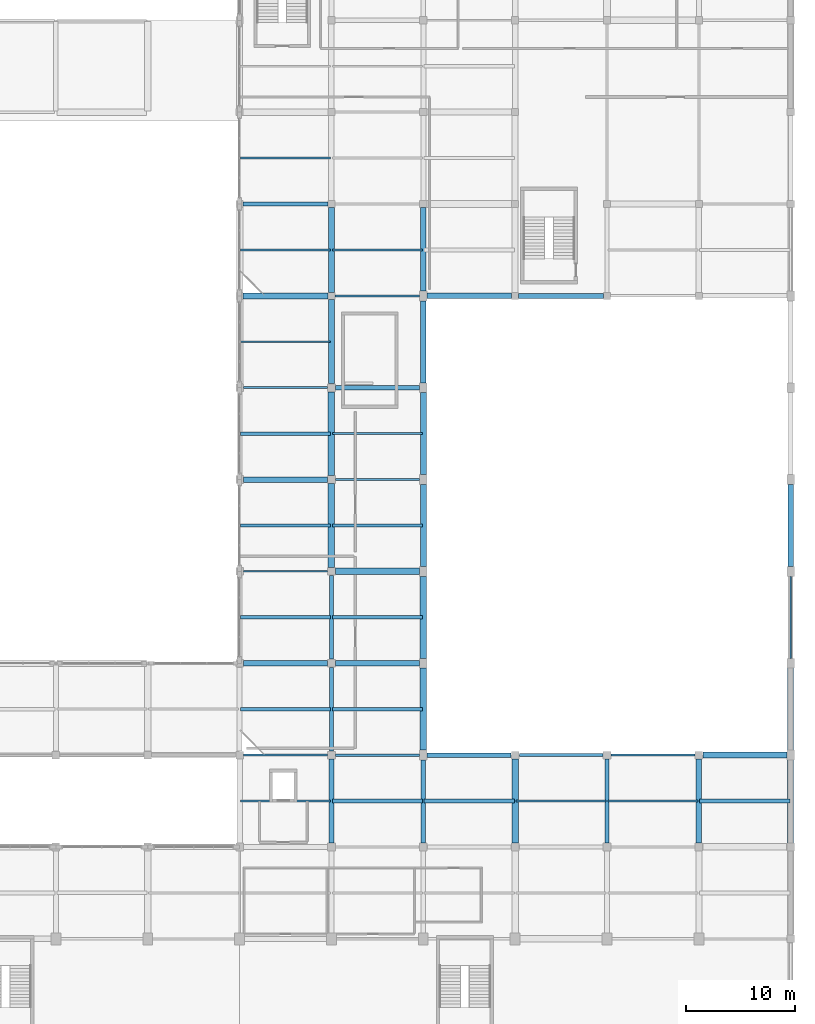
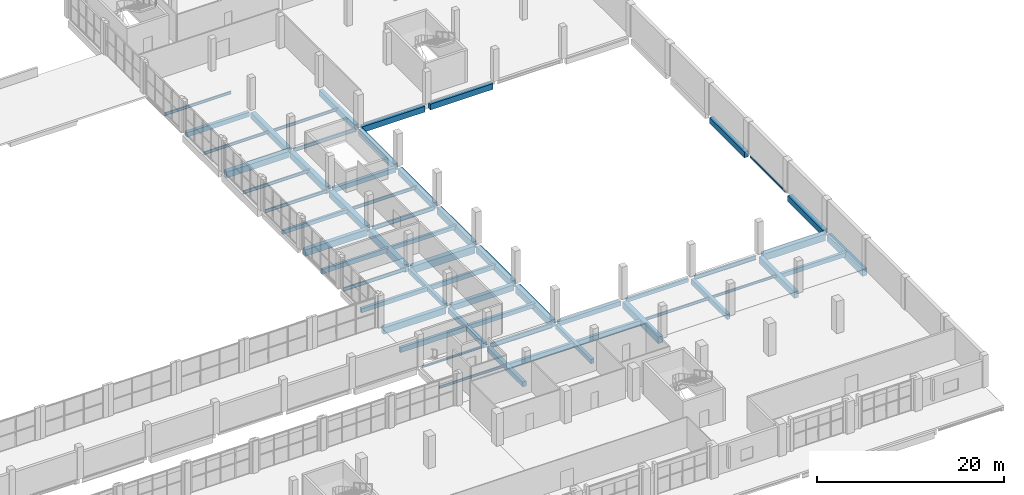
# One storey, part 38 of 59: 58 beams.
"""IFC4 building model written with IfcOpenShell, lengths in metres."""

from ifc_helpers import new_model, si_unit, derived_unit, direction, frame, origin, origin_2d, place, context, subcontext, project, spatial, rectangle, hollow_rectangle, i_section, extrude, material, material_profile, profile_set, type_object, element, save


model = new_model("IFC4")

# Units and contexts
model_context = context("Model", 3, precision=1e-05, world=origin(), true_north=direction((0.0, 1.0)))
body_context = subcontext(model_context, "Body", "Model", "MODEL_VIEW")
ifc_project = project(units=[si_unit("LENGTHUNIT", "METRE"), si_unit("AREAUNIT", "SQUARE_METRE"), si_unit("VOLUMEUNIT", "CUBIC_METRE"), si_unit("PLANEANGLEUNIT", "RADIAN"), si_unit("MASSUNIT", "GRAM", prefix="KILO"), derived_unit("THERMALTRANSMITTANCEUNIT", [(si_unit("POWERUNIT", "WATT"), 1), (si_unit("LENGTHUNIT", "METRE"), -2), (si_unit("THERMODYNAMICTEMPERATUREUNIT", "KELVIN"), -1)])], contexts=[model_context])

# Site, building, storey
site_placement = place(None, origin())
site = spatial("IfcSite", under=ifc_project, at=site_placement, CompositionType="ELEMENT")
building_placement = place(site_placement, origin())
building = spatial("IfcBuilding", under=site, at=building_placement, Name="Barrovel Congress Hotel", CompositionType="ELEMENT")
storey_placement = place(building_placement, frame((0.0, 0.0, 9.89990234375)))
storey = spatial("IfcBuildingStorey", under=building, at=storey_placement, Name="L02", CompositionType="ELEMENT", Elevation=9.89990234375)

# Beams
ifc_material_1 = material(Name="Concrete C40", Category="concrete")
ifc_material_profile_1 = material_profile(ifc_material_1, rectangle(XDim=0.25, YDim=0.5, at=origin_2d()), Name="RC250x500")
ifc_profile_set_1 = profile_set([ifc_material_profile_1], Name="Concrete C40")
beam_type_1 = type_object("IfcBeamType", Name="BM-RC250x500", PredefinedType="SPANDREL", material=ifc_profile_set_1)
beam_1_placement = place(storey_placement, frame((151.574951171875, 37.800048828125, -0.510009765625), z_axis=(1.0, 0.0, 0.0), x_axis=(0.0, 1.0, 0.0)))
element("IfcBeam", 1, at=beam_1_placement, inside=storey, type_object=beam_type_1, Name="BMX:L02:37.8:151.2-159.6", PredefinedType="SPANDREL", context=body_context, shape_type="SweptSolid", body=[
    extrude(rectangle(XDim=0.25, YDim=0.5, at=origin_2d()), origin(), (0.0, 0.0, 1.0), 7.650146484375),
])
ifc_material_profile_2 = material_profile(ifc_material_1, rectangle(XDim=0.300048828125, YDim=0.5, at=origin_2d()), Name="RC300x500")
ifc_profile_set_2 = profile_set([ifc_material_profile_2], Name="Concrete C40")
beam_type_2 = type_object("IfcBeamType", Name="BM-RC300x500", PredefinedType="JOIST", material=ifc_profile_set_2)
for number, where, z_axis, x_axis, name in (
    (2, (126.080078125, 67.199951171875, -0.510009765625), (1.0, 0.0, 0.0), (0.0, 1.0, 0.0), "JST:L02:126.0:67.2"),
    (3, (134.47998046875, 58.800048828125, -0.510009765625), (1.0, 0.0, 0.0), (0.0, 1.0, 0.0), "JST:L02:134.4:58.8"),
):
    element("IfcBeam", number, at=place(storey_placement, frame(where, z_axis=z_axis, x_axis=x_axis)), inside=storey, type_object=beam_type_2, Name=name, PredefinedType="JOIST", context=body_context, shape_type="SweptSolid", body=[
        extrude(rectangle(XDim=0.300048828125, YDim=0.5, at=origin_2d()), origin(), (0.0, 0.0, 1.0), 8.239990234375),
    ])
ifc_material_profile_3 = material_profile(ifc_material_1, rectangle(XDim=0.300048828125, YDim=0.60009765625, at=origin_2d()), Name="RC300x600")
ifc_profile_set_3 = profile_set([ifc_material_profile_3], Name="Concrete C40")
beam_type_3 = type_object("IfcBeamType", Name="BM-RC300x600", PredefinedType="JOIST", material=ifc_profile_set_3)
for number, where, z_axis, x_axis, name in (
    (4, (126.080078125, 58.800048828125, -0.559814453125), (1.0, 0.0, 0.0), (0.0, 1.0, 0.0), "JST:L02:126.0:58.8"),
    (5, (134.47998046875, 50.39990234375, -0.559814453125), (1.0, 0.0, 0.0), (0.0, 1.0, 0.0), "JST:L02:134.4:50.4"),
):
    element("IfcBeam", number, at=place(storey_placement, frame(where, z_axis=z_axis, x_axis=x_axis)), inside=storey, type_object=beam_type_3, Name=name, PredefinedType="JOIST", context=body_context, shape_type="SweptSolid", body=[
        extrude(rectangle(XDim=0.300048828125, YDim=0.60009765625, at=origin_2d()), origin(), (0.0, 0.0, 1.0), 8.239990234375),
    ])
ifc_material_profile_4 = material_profile(ifc_material_1, rectangle(XDim=0.35009765625, YDim=0.550048828125, at=origin_2d()), Name="RC350x550")
ifc_profile_set_4 = profile_set([ifc_material_profile_4], Name="Concrete C40")
beam_type_4 = type_object("IfcBeamType", Name="BM-RC350x550", PredefinedType="JOIST", material=ifc_profile_set_4)
for number, where, z_axis, x_axis, name in (
    (6, (126.080078125, 50.39990234375, -0.534912109375), (1.0, 0.0, 0.0), (0.0, 1.0, 0.0), "JST:L02:126.0:50.4"),
    (7, (134.47998046875, 42.0, -0.534912109375), (1.0, 0.0, 0.0), (0.0, 1.0, 0.0), "JST:L02:134.4:42.0"),
    (8, (168.080078125, 33.60009765625, -0.534912109375), (1.0, 0.0, 0.0), (0.0, 1.0, 0.0), "JST:L02:168.0:33.6"),
):
    element("IfcBeam", number, at=place(storey_placement, frame(where, z_axis=z_axis, x_axis=x_axis)), inside=storey, type_object=beam_type_4, Name=name, PredefinedType="JOIST", context=body_context, shape_type="SweptSolid", body=[
        extrude(rectangle(XDim=0.35009765625, YDim=0.550048828125, at=origin_2d()), origin(), (0.0, 0.0, 1.0), 8.239990234375),
    ])
ifc_material_profile_5 = material_profile(ifc_material_1, rectangle(XDim=0.35009765625, YDim=0.64990234375, at=origin_2d()), Name="RC350x650")
ifc_profile_set_5 = profile_set([ifc_material_profile_5], Name="Concrete C40")
beam_type_5 = type_object("IfcBeamType", Name="BM-RC350x650", PredefinedType="JOIST", material=ifc_profile_set_5)
for number, where, z_axis, x_axis, name in (
    (9, (126.080078125, 42.0, -0.5849609375), (1.0, 0.0, 0.0), (0.0, 1.0, 0.0), "JST:L02:126.0:42.0"),
    (10, (134.47998046875, 33.60009765625, -0.5849609375), (1.0, 0.0, 0.0), (0.0, 1.0, 0.0), "JST:L02:134.4:33.6"),
):
    element("IfcBeam", number, at=place(storey_placement, frame(where, z_axis=z_axis, x_axis=x_axis)), inside=storey, type_object=beam_type_5, Name=name, PredefinedType="JOIST", context=body_context, shape_type="SweptSolid", body=[
        extrude(rectangle(XDim=0.35009765625, YDim=0.64990234375, at=origin_2d()), origin(), (0.0, 0.0, 1.0), 8.239990234375),
    ])
beam_2_placement = place(storey_placement, frame((142.8798828125, 33.60009765625, -0.5849609375), z_axis=(1.0, 0.0, 0.0), x_axis=(0.0, 1.0, 0.0)))
element("IfcBeam", 11, at=beam_2_placement, inside=storey, type_object=beam_type_5, Name="JST:L02:142.8:33.6", PredefinedType="JOIST", context=body_context, shape_type="SweptSolid", body=[
    extrude(rectangle(XDim=0.35009765625, YDim=0.64990234375, at=origin_2d()), origin(), (0.0, 0.0, 1.0), 8.240234375),
])
ifc_material_profile_6 = material_profile(ifc_material_1, rectangle(XDim=0.39990234375, YDim=0.60009765625, at=origin_2d()), Name="RC400x600")
ifc_profile_set_6 = profile_set([ifc_material_profile_6], Name="Concrete C40")
beam_type_6 = type_object("IfcBeamType", Name="BM-RC400x600", PredefinedType="BEAM", material=ifc_profile_set_6)
for number, where, z_axis, x_axis, name in (
    (12, (143.14990234375, 37.800048828125, -0.559814453125), (1.0, 0.0, 0.0), (0.0, 1.0, 0.0), "BMX:L02:37.8:142.8-151.2"),
    (13, (134.77490234375, 71.39990234375, -0.559814453125), (1.0, 0.0, 0.0), (0.0, 1.0, 0.0), "BMX:L02:71.4:134.4-142.8"),
):
    element("IfcBeam", number, at=place(storey_placement, frame(where, z_axis=z_axis, x_axis=x_axis)), inside=storey, type_object=beam_type_6, Name=name, PredefinedType="BEAM", context=body_context, shape_type="SweptSolid", body=[
        extrude(rectangle(XDim=0.39990234375, YDim=0.60009765625, at=origin_2d()), origin(), (0.0, 0.0, 1.0), 7.675048828125),
    ])
beam_3_placement = place(storey_placement, frame((126.324951171875, 88.199951171875, -0.559814453125), z_axis=(1.0, 0.0, 0.0), x_axis=(0.0, 1.0, 0.0)))
element("IfcBeam", 14, at=beam_3_placement, inside=storey, type_object=beam_type_6, Name="BMX:L02:88.2:126.0-134.4", PredefinedType="BEAM", context=body_context, shape_type="SweptSolid", body=[
    extrude(rectangle(XDim=0.39990234375, YDim=0.60009765625, at=origin_2d()), origin(), (0.0, 0.0, 1.0), 7.75),
])
beam_4_placement = place(storey_placement, frame((134.39990234375, 46.574951171875, -0.559814453125), z_axis=(0.0, 1.0, 0.0), x_axis=(-1.0, 0.0, 0.0)))
element("IfcBeam", 15, at=beam_4_placement, inside=storey, type_object=beam_type_6, Name="BMY:L02:134.4:46.2-54.6", PredefinedType="BEAM", context=body_context, shape_type="SweptSolid", body=[
    extrude(rectangle(XDim=0.39990234375, YDim=0.60009765625, at=origin_2d()), origin(), (0.0, 0.0, 1.0), 7.650146484375),
])
beam_5_placement = place(storey_placement, frame((142.800048828125, 29.77490234375, -0.559814453125), z_axis=(0.0, 1.0, 0.0), x_axis=(-1.0, 0.0, 0.0)))
element("IfcBeam", 16, at=beam_5_placement, inside=storey, type_object=beam_type_6, Name="BMY:L02:142.8:29.4-37.8", PredefinedType="BEAM", context=body_context, shape_type="SweptSolid", body=[
    extrude(rectangle(XDim=0.39990234375, YDim=0.60009765625, at=origin_2d()), origin(), (0.0, 0.0, 1.0), 7.5751953125),
])
ifc_material_profile_7 = material_profile(ifc_material_1, rectangle(XDim=0.39990234375, YDim=0.699951171875, at=origin_2d()), Name="RC400x700")
ifc_profile_set_7 = profile_set([ifc_material_profile_7], Name="Concrete C40")
beam_type_7 = type_object("IfcBeamType", Name="BM-RC400x700", PredefinedType="BEAM", material=ifc_profile_set_7)
beam_6_placement = place(storey_placement, frame((134.39990234375, 38.175048828125, -0.60986328125), z_axis=(0.0, 1.0, 0.0), x_axis=(-1.0, 0.0, 0.0)))
element("IfcBeam", 17, at=beam_6_placement, inside=storey, type_object=beam_type_7, Name="BMY:L02:134.4:37.8-46.2", PredefinedType="BEAM", context=body_context, shape_type="SweptSolid", body=[
    extrude(rectangle(XDim=0.39990234375, YDim=0.699951171875, at=origin_2d()), origin(), (0.0, 0.0, 1.0), 7.64990234375),
])
beam_7_placement = place(storey_placement, frame((159.60009765625, 29.77490234375, -0.60986328125), z_axis=(0.0, 1.0, 0.0), x_axis=(-1.0, 0.0, 0.0)))
element("IfcBeam", 18, at=beam_7_placement, inside=storey, type_object=beam_type_7, Name="BMY:L02:159.6:29.4-37.8", PredefinedType="BEAM", context=body_context, shape_type="SweptSolid", body=[
    extrude(rectangle(XDim=0.39990234375, YDim=0.699951171875, at=origin_2d()), origin(), (0.0, 0.0, 1.0), 7.650146484375),
])
ifc_material_profile_8 = material_profile(ifc_material_1, rectangle(XDim=0.449951171875, YDim=0.64990234375, at=origin_2d()), Name="RC450x650")
ifc_profile_set_8 = profile_set([ifc_material_profile_8], Name="Concrete C40")
beam_type_8 = type_object("IfcBeamType", Name="BM-RC450x650", PredefinedType="BEAM", material=ifc_profile_set_8)
beam_8_placement = place(storey_placement, frame((134.39990234375, 29.77490234375, -0.5849609375), z_axis=(0.0, 1.0, 0.0), x_axis=(-1.0, 0.0, 0.0)))
element("IfcBeam", 19, at=beam_8_placement, inside=storey, type_object=beam_type_8, Name="BMY:L02:134.4:29.4-37.8", PredefinedType="BEAM", context=body_context, shape_type="SweptSolid", body=[
    extrude(rectangle(XDim=0.449951171875, YDim=0.64990234375, at=origin_2d()), origin(), (0.0, 0.0, 1.0), 7.650146484375),
])
ifc_material_profile_9 = material_profile(ifc_material_1, rectangle(XDim=0.449951171875, YDim=0.75, at=origin_2d()), Name="RC450x750")
ifc_profile_set_9 = profile_set([ifc_material_profile_9], Name="Concrete C40")
beam_type_9 = type_object("IfcBeamType", Name="BM-RC450x750", PredefinedType="BEAM", material=ifc_profile_set_9)
beam_9_placement = place(storey_placement, frame((151.52490234375, 79.800048828125, -0.635009765625), z_axis=(1.0, 0.0, 0.0), x_axis=(0.0, 1.0, 0.0)))
element("IfcBeam", 20, at=beam_9_placement, inside=storey, type_object=beam_type_9, Name="BMX:L02:79.8:151.2-159.6", PredefinedType="BEAM", context=body_context, shape_type="SweptSolid", body=[
    extrude(rectangle(XDim=0.449951171875, YDim=0.75, at=origin_2d()), origin(), (0.0, 0.0, 1.0), 7.75),
])
ifc_material_profile_10 = material_profile(ifc_material_1, rectangle(XDim=0.5, YDim=0.75, at=origin_2d()), Name="RC500x750")
ifc_profile_set_10 = profile_set([ifc_material_profile_10], Name="Concrete C40")
beam_type_10 = type_object("IfcBeamType", Name="BM-RC500x750", PredefinedType="BEAM", material=ifc_profile_set_10)
beam_10_placement = place(storey_placement, frame((134.77490234375, 46.199951171875, -0.635009765625), z_axis=(1.0, 0.0, 0.0), x_axis=(0.0, 1.0, 0.0)))
element("IfcBeam", 21, at=beam_10_placement, inside=storey, type_object=beam_type_10, Name="BMX:L02:46.2:134.4-142.8", PredefinedType="BEAM", context=body_context, shape_type="SweptSolid", body=[
    extrude(rectangle(XDim=0.5, YDim=0.75, at=origin_2d()), origin(), (0.0, 0.0, 1.0), 7.675048828125),
])
beam_11_placement = place(storey_placement, frame((143.14990234375, 79.800048828125, -0.635009765625), z_axis=(1.0, 0.0, 0.0), x_axis=(0.0, 1.0, 0.0)))
element("IfcBeam", 22, at=beam_11_placement, inside=storey, type_object=beam_type_10, Name="BMX:L02:79.8:142.8-151.2", PredefinedType="BEAM", context=body_context, shape_type="SweptSolid", body=[
    extrude(rectangle(XDim=0.5, YDim=0.75, at=origin_2d()), origin(), (0.0, 0.0, 1.0), 7.72509765625),
])
beam_12_placement = place(storey_placement, frame((142.800048828125, 80.25, -0.635009765625), z_axis=(0.0, 1.0, 0.0), x_axis=(-1.0, 0.0, 0.0)))
element("IfcBeam", 23, at=beam_12_placement, inside=storey, type_object=beam_type_10, Name="BMY:L02:142.8:79.8-88.2", PredefinedType="BEAM", context=body_context, shape_type="SweptSolid", body=[
    extrude(rectangle(XDim=0.5, YDim=0.75, at=origin_2d()), origin(), (0.0, 0.0, 1.0), 7.625),
])
beam_13_placement = place(storey_placement, frame((176.39990234375, 55.050048828125, -0.635009765625), z_axis=(0.0, 1.0, 0.0), x_axis=(-1.0, 0.0, 0.0)))
element("IfcBeam", 24, at=beam_13_placement, inside=storey, type_object=beam_type_10, Name="BMY:L02:176.4:54.6-63.0", PredefinedType="BEAM", context=body_context, shape_type="SweptSolid", body=[
    extrude(rectangle(XDim=0.5, YDim=0.75, at=origin_2d()), origin(), (0.0, 0.0, 1.0), 7.5),
])
ifc_material_profile_11 = material_profile(ifc_material_1, rectangle(XDim=0.5, YDim=0.85009765625, at=origin_2d()), Name="RC500x850")
ifc_profile_set_11 = profile_set([ifc_material_profile_11], Name="Concrete C40")
beam_type_11 = type_object("IfcBeamType", Name="BM-RC500x850", PredefinedType="BEAM", material=ifc_profile_set_11)
for number, where, z_axis, x_axis, name in (
    (25, (126.375, 46.199951171875, -0.684814453125), (1.0, 0.0, 0.0), (0.0, 1.0, 0.0), "BMX:L02:46.2:126.0-134.4"),
    (26, (126.375, 63.0, -0.684814453125), (1.0, 0.0, 0.0), (0.0, 1.0, 0.0), "BMX:L02:63.0:126.0-134.4"),
):
    element("IfcBeam", number, at=place(storey_placement, frame(where, z_axis=z_axis, x_axis=x_axis)), inside=storey, type_object=beam_type_11, Name=name, PredefinedType="BEAM", context=body_context, shape_type="SweptSolid", body=[
        extrude(rectangle(XDim=0.5, YDim=0.85009765625, at=origin_2d()), origin(), (0.0, 0.0, 1.0), 7.64990234375),
    ])
beam_14_placement = place(storey_placement, frame((142.800048828125, 71.85009765625, -0.684814453125), z_axis=(0.0, 1.0, 0.0), x_axis=(-1.0, 0.0, 0.0)))
element("IfcBeam", 27, at=beam_14_placement, inside=storey, type_object=beam_type_11, Name="BMY:L02:142.8:71.4-79.8", PredefinedType="BEAM", context=body_context, shape_type="SweptSolid", body=[
    extrude(rectangle(XDim=0.5, YDim=0.85009765625, at=origin_2d()), origin(), (0.0, 0.0, 1.0), 7.5),
])
beam_15_placement = place(storey_placement, frame((168.0, 29.77490234375, -0.684814453125), z_axis=(0.0, 1.0, 0.0), x_axis=(-1.0, 0.0, 0.0)))
element("IfcBeam", 28, at=beam_15_placement, inside=storey, type_object=beam_type_11, Name="BMY:L02:168.0:29.4-37.8", PredefinedType="BEAM", context=body_context, shape_type="SweptSolid", body=[
    extrude(rectangle(XDim=0.5, YDim=0.85009765625, at=origin_2d()), origin(), (0.0, 0.0, 1.0), 7.650146484375),
])
ifc_material_profile_12 = material_profile(ifc_material_1, rectangle(XDim=0.550048828125, YDim=0.800048828125, at=origin_2d()), Name="RC550x800")
ifc_profile_set_12 = profile_set([ifc_material_profile_12], Name="Concrete C40")
beam_type_12 = type_object("IfcBeamType", Name="BM-RC550x800", PredefinedType="BEAM", material=ifc_profile_set_12)
for number, where, z_axis, x_axis, name in (
    (29, (126.324951171875, 79.800048828125, -0.659912109375), (1.0, 0.0, 0.0), (0.0, 1.0, 0.0), "BMX:L02:79.8:126.0-134.4"),
    (30, (134.39990234375, 80.125, -0.659912109375), (0.0, 1.0, 0.0), (-1.0, 0.0, 0.0), "BMY:L02:134.4:79.8-88.2"),
):
    element("IfcBeam", number, at=place(storey_placement, frame(where, z_axis=z_axis, x_axis=x_axis)), inside=storey, type_object=beam_type_12, Name=name, PredefinedType="BEAM", context=body_context, shape_type="SweptSolid", body=[
        extrude(rectangle(XDim=0.550048828125, YDim=0.800048828125, at=origin_2d()), origin(), (0.0, 0.0, 1.0), 7.75),
    ])
for number, where, z_axis, x_axis, name in (
    (31, (142.800048828125, 63.449951171875, -0.659912109375), (0.0, 1.0, 0.0), (-1.0, 0.0, 0.0), "BMY:L02:142.8:63.0-71.4"),
    (32, (176.39990234375, 38.25, -0.659912109375), (0.0, 1.0, 0.0), (-1.0, 0.0, 0.0), "BMY:L02:176.4:37.8-46.2"),
):
    element("IfcBeam", number, at=place(storey_placement, frame(where, z_axis=z_axis, x_axis=x_axis)), inside=storey, type_object=beam_type_12, Name=name, PredefinedType="BEAM", context=body_context, shape_type="SweptSolid", body=[
        extrude(rectangle(XDim=0.550048828125, YDim=0.800048828125, at=origin_2d()), origin(), (0.0, 0.0, 1.0), 7.5),
    ])
ifc_material_profile_13 = material_profile(ifc_material_1, rectangle(XDim=0.550048828125, YDim=0.89990234375, at=origin_2d()), Name="RC550x900")
ifc_profile_set_13 = profile_set([ifc_material_profile_13], Name="Concrete C40")
beam_type_13 = type_object("IfcBeamType", Name="BM-RC550x900", PredefinedType="BEAM", material=ifc_profile_set_13)
beam_16_placement = place(storey_placement, frame((168.375, 37.800048828125, -0.7099609375), z_axis=(1.0, 0.0, 0.0), x_axis=(0.0, 1.0, 0.0)))
element("IfcBeam", 33, at=beam_16_placement, inside=storey, type_object=beam_type_13, Name="BMX:L02:37.8:168.0-176.4", PredefinedType="BEAM", context=body_context, shape_type="SweptSolid", body=[
    extrude(rectangle(XDim=0.550048828125, YDim=0.89990234375, at=origin_2d()), origin(), (0.0, 0.0, 1.0), 7.675048828125),
])
beam_17_placement = place(storey_placement, frame((134.39990234375, 71.77490234375, -0.7099609375), z_axis=(0.0, 1.0, 0.0), x_axis=(-1.0, 0.0, 0.0)))
element("IfcBeam", 34, at=beam_17_placement, inside=storey, type_object=beam_type_13, Name="BMY:L02:134.4:71.4-79.8", PredefinedType="BEAM", context=body_context, shape_type="SweptSolid", body=[
    extrude(rectangle(XDim=0.550048828125, YDim=0.89990234375, at=origin_2d()), origin(), (0.0, 0.0, 1.0), 7.7001953125),
])
beam_18_placement = place(storey_placement, frame((142.800048828125, 55.050048828125, -0.7099609375), z_axis=(0.0, 1.0, 0.0), x_axis=(-1.0, 0.0, 0.0)))
element("IfcBeam", 35, at=beam_18_placement, inside=storey, type_object=beam_type_13, Name="BMY:L02:142.8:54.6-63.0", PredefinedType="BEAM", context=body_context, shape_type="SweptSolid", body=[
    extrude(rectangle(XDim=0.550048828125, YDim=0.89990234375, at=origin_2d()), origin(), (0.0, 0.0, 1.0), 7.5),
])
beam_19_placement = place(storey_placement, frame((176.39990234375, 29.77490234375, -0.7099609375), z_axis=(0.0, 1.0, 0.0), x_axis=(-1.0, 0.0, 0.0)))
element("IfcBeam", 36, at=beam_19_placement, inside=storey, type_object=beam_type_13, Name="BMY:L02:176.4:29.4-37.8", PredefinedType="BEAM", context=body_context, shape_type="SweptSolid", body=[
    extrude(rectangle(XDim=0.550048828125, YDim=0.89990234375, at=origin_2d()), origin(), (0.0, 0.0, 1.0), 7.5751953125),
])
ifc_material_profile_14 = material_profile(ifc_material_1, rectangle(XDim=0.60009765625, YDim=0.85009765625, at=origin_2d()), Name="RC600x850")
ifc_profile_set_14 = profile_set([ifc_material_profile_14], Name="Concrete C40")
beam_type_14 = type_object("IfcBeamType", Name="BM-RC600x850", PredefinedType="BEAM", material=ifc_profile_set_14)
beam_20_placement = place(storey_placement, frame((134.39990234375, 63.375, -0.684814453125), z_axis=(0.0, 1.0, 0.0), x_axis=(-1.0, 0.0, 0.0)))
element("IfcBeam", 37, at=beam_20_placement, inside=storey, type_object=beam_type_14, Name="BMY:L02:134.4:63.0-71.4", PredefinedType="BEAM", context=body_context, shape_type="SweptSolid", body=[
    extrude(rectangle(XDim=0.60009765625, YDim=0.85009765625, at=origin_2d()), origin(), (0.0, 0.0, 1.0), 7.64990234375),
])
beam_21_placement = place(storey_placement, frame((142.800048828125, 46.64990234375, -0.684814453125), z_axis=(0.0, 1.0, 0.0), x_axis=(-1.0, 0.0, 0.0)))
element("IfcBeam", 38, at=beam_21_placement, inside=storey, type_object=beam_type_14, Name="BMY:L02:142.8:46.2-54.6", PredefinedType="BEAM", context=body_context, shape_type="SweptSolid", body=[
    extrude(rectangle(XDim=0.60009765625, YDim=0.85009765625, at=origin_2d()), origin(), (0.0, 0.0, 1.0), 7.5),
])
beam_22_placement = place(storey_placement, frame((151.199951171875, 29.77490234375, -0.684814453125), z_axis=(0.0, 1.0, 0.0), x_axis=(-1.0, 0.0, 0.0)))
element("IfcBeam", 39, at=beam_22_placement, inside=storey, type_object=beam_type_14, Name="BMY:L02:151.2:29.4-37.8", PredefinedType="BEAM", context=body_context, shape_type="SweptSolid", body=[
    extrude(rectangle(XDim=0.60009765625, YDim=0.85009765625, at=origin_2d()), origin(), (0.0, 0.0, 1.0), 7.650146484375),
])
ifc_material_profile_15 = material_profile(ifc_material_1, rectangle(XDim=0.60009765625, YDim=0.949951171875, at=origin_2d()), Name="RC600x950")
ifc_profile_set_15 = profile_set([ifc_material_profile_15], Name="Concrete C40")
beam_type_15 = type_object("IfcBeamType", Name="BM-RC600x950", PredefinedType="BEAM", material=ifc_profile_set_15)
beam_23_placement = place(storey_placement, frame((134.77490234375, 54.60009765625, -0.73486328125), z_axis=(1.0, 0.0, 0.0), x_axis=(0.0, 1.0, 0.0)))
element("IfcBeam", 40, at=beam_23_placement, inside=storey, type_object=beam_type_15, Name="BMX:L02:54.6:134.4-142.8", PredefinedType="BEAM", context=body_context, shape_type="SweptSolid", body=[
    extrude(rectangle(XDim=0.60009765625, YDim=0.949951171875, at=origin_2d()), origin(), (0.0, 0.0, 1.0), 7.675048828125),
])
beam_24_placement = place(storey_placement, frame((134.39990234375, 54.97509765625, -0.73486328125), z_axis=(0.0, 1.0, 0.0), x_axis=(-1.0, 0.0, 0.0)))
element("IfcBeam", 41, at=beam_24_placement, inside=storey, type_object=beam_type_15, Name="BMY:L02:134.4:54.6-63.0", PredefinedType="BEAM", context=body_context, shape_type="SweptSolid", body=[
    extrude(rectangle(XDim=0.60009765625, YDim=0.949951171875, at=origin_2d()), origin(), (0.0, 0.0, 1.0), 7.64990234375),
])
beam_25_placement = place(storey_placement, frame((142.800048828125, 38.25, -0.73486328125), z_axis=(0.0, 1.0, 0.0), x_axis=(-1.0, 0.0, 0.0)))
element("IfcBeam", 42, at=beam_25_placement, inside=storey, type_object=beam_type_15, Name="BMY:L02:142.8:37.8-46.2", PredefinedType="BEAM", context=body_context, shape_type="SweptSolid", body=[
    extrude(rectangle(XDim=0.60009765625, YDim=0.949951171875, at=origin_2d()), origin(), (0.0, 0.0, 1.0), 7.5),
])
ifc_material_2 = material(Name="Steel ASTM A500 Grade C", Category="steel")
ifc_material_profile_16 = material_profile(ifc_material_2, hollow_rectangle(XDim=0.15234375, YDim=0.25390625, WallThickness=0.0087890625, InnerFilletRadius=0.0087890625, OuterFilletRadius=0.017578125, at=origin_2d()), Name="HSS254x152x9.5")
ifc_profile_set_16 = profile_set([ifc_material_profile_16], Name="Steel ASTM A500 Grade C")
beam_type_16 = type_object("IfcBeamType", Name="SBM-HSS254x152x9.5", PredefinedType="SPANDREL", material=ifc_profile_set_16)
beam_26_placement = place(storey_placement, frame((176.39990234375, 46.64990234375, -0.386962890625), z_axis=(0.0, 1.0, 0.0), x_axis=(-1.0, 0.0, 0.0)))
element("IfcBeam", 43, at=beam_26_placement, inside=storey, type_object=beam_type_16, Name="BMY:L02:176.4:46.2-54.6", PredefinedType="SPANDREL", context=body_context, shape_type="SweptSolid", body=[
    extrude(hollow_rectangle(XDim=0.15234375, YDim=0.25390625, WallThickness=0.0087890625, InnerFilletRadius=0.0087890625, OuterFilletRadius=0.017578125, at=origin_2d()), origin(), (0.0, 0.0, 1.0), 7.5),
])
ifc_material_3 = material(Name="Steel ASTM A992 Grade 50", Category="steel")
ifc_material_profile_17 = material_profile(ifc_material_3, i_section(OverallWidth=0.201904296875, OverallDepth=0.2470703125, WebThickness=0.00732421875, FlangeThickness=0.010986328125, FilletRadius=0.011962890625, at=origin_2d()), Name="W250x49")
ifc_profile_set_17 = profile_set([ifc_material_profile_17], Name="Steel ASTM A992 Grade 50")
beam_type_17 = type_object("IfcBeamType", Name="SBM-W250x49", PredefinedType="SPANDREL", material=ifc_profile_set_17)
beam_27_placement = place(storey_placement, frame((126.375, 37.800048828125, -0.38330078125), z_axis=(1.0, 0.0, 0.0), x_axis=(0.0, 1.0, 0.0)))
element("IfcBeam", 44, at=beam_27_placement, inside=storey, type_object=beam_type_17, Name="BMX:L02:37.8:126.0-134.4", PredefinedType="SPANDREL", context=body_context, shape_type="SweptSolid", body=[
    extrude(i_section(OverallWidth=0.201904296875, OverallDepth=0.2470703125, WebThickness=0.00732421875, FlangeThickness=0.010986328125, FilletRadius=0.011962890625, at=origin_2d()), origin(), (0.0, 0.0, 1.0), 7.64990234375),
])
ifc_material_profile_18 = material_profile(ifc_material_3, i_section(OverallWidth=0.1650390625, OverallDepth=0.31005859375, WebThickness=0.005859375, FlangeThickness=0.009765625, FilletRadius=0.010986328125, at=origin_2d()), Name="W310x39")
ifc_profile_set_18 = profile_set([ifc_material_profile_18], Name="Steel ASTM A992 Grade 50")
beam_type_18 = type_object("IfcBeamType", Name="SBM-W310x39", PredefinedType="JOIST", material=ifc_profile_set_18)
beam_28_placement = place(storey_placement, frame((126.080078125, 33.60009765625, -0.414794921875), z_axis=(1.0, 0.0, 0.0), x_axis=(0.0, 1.0, 0.0)))
element("IfcBeam", 45, at=beam_28_placement, inside=storey, type_object=beam_type_18, Name="JST:L02:126.0:33.6", PredefinedType="JOIST", context=body_context, shape_type="SweptSolid", body=[
    extrude(i_section(OverallWidth=0.1650390625, OverallDepth=0.31005859375, WebThickness=0.005859375, FlangeThickness=0.009765625, FilletRadius=0.010986328125, at=origin_2d()), origin(), (0.0, 0.0, 1.0), 8.239990234375),
])
ifc_material_profile_19 = material_profile(ifc_material_3, i_section(OverallWidth=0.1669921875, OverallDepth=0.31689453125, WebThickness=0.007568359375, FlangeThickness=0.01318359375, FilletRadius=0.010986328125, at=origin_2d()), Name="W310x52")
ifc_profile_set_19 = profile_set([ifc_material_profile_19], Name="Steel ASTM A992 Grade 50")
beam_type_19 = type_object("IfcBeamType", Name="SBM-W310x52", PredefinedType="JOIST", material=ifc_profile_set_19)
beam_29_placement = place(storey_placement, frame((159.679931640625, 33.60009765625, -0.41845703125), z_axis=(1.0, 0.0, 0.0), x_axis=(0.0, 1.0, 0.0)))
element("IfcBeam", 46, at=beam_29_placement, inside=storey, type_object=beam_type_19, Name="JST:L02:159.6:33.6", PredefinedType="JOIST", context=body_context, shape_type="SweptSolid", body=[
    extrude(i_section(OverallWidth=0.1669921875, OverallDepth=0.31689453125, WebThickness=0.007568359375, FlangeThickness=0.01318359375, FilletRadius=0.010986328125, at=origin_2d()), origin(), (0.0, 0.0, 1.0), 8.239990234375),
])
ifc_material_profile_20 = material_profile(ifc_material_3, i_section(OverallWidth=0.1708984375, OverallDepth=0.35205078125, WebThickness=0.0068359375, FlangeThickness=0.009765625, FilletRadius=0.011962890625, at=origin_2d()), Name="W360x44")
ifc_profile_set_20 = profile_set([ifc_material_profile_20], Name="Steel ASTM A992 Grade 50")
beam_type_20 = type_object("IfcBeamType", Name="SBM-W360x44", PredefinedType="JOIST", material=ifc_profile_set_20)
beam_30_placement = place(storey_placement, frame((126.080078125, 92.39990234375, -0.435791015625), z_axis=(1.0, 0.0, 0.0), x_axis=(0.0, 1.0, 0.0)))
element("IfcBeam", 47, at=beam_30_placement, inside=storey, type_object=beam_type_20, Name="JST:L02:126.0:92.4", PredefinedType="JOIST", context=body_context, shape_type="SweptSolid", body=[
    extrude(i_section(OverallWidth=0.1708984375, OverallDepth=0.35205078125, WebThickness=0.0068359375, FlangeThickness=0.009765625, FilletRadius=0.011962890625, at=origin_2d()), origin(), (0.0, 0.0, 1.0), 8.239990234375),
])
ifc_material_profile_21 = material_profile(ifc_material_3, i_section(OverallWidth=0.172119140625, OverallDepth=0.35791015625, WebThickness=0.0078125, FlangeThickness=0.01318359375, FilletRadius=0.011962890625, at=origin_2d()), Name="W360x57")
ifc_profile_set_21 = profile_set([ifc_material_profile_21], Name="Steel ASTM A992 Grade 50")
beam_type_21 = type_object("IfcBeamType", Name="SBM-W360x57", PredefinedType="JOIST", material=ifc_profile_set_21)
for number, where, z_axis, x_axis, name in (
    (48, (126.080078125, 84.0, -0.43896484375), (1.0, 0.0, 0.0), (0.0, 1.0, 0.0), "JST:L02:126.0:84.0"),
    (49, (134.47998046875, 84.0, -0.43896484375), (1.0, 0.0, 0.0), (0.0, 1.0, 0.0), "JST:L02:134.4:84.0"),
    (50, (151.280029296875, 33.60009765625, -0.43896484375), (1.0, 0.0, 0.0), (0.0, 1.0, 0.0), "JST:L02:151.2:33.6"),
):
    element("IfcBeam", number, at=place(storey_placement, frame(where, z_axis=z_axis, x_axis=x_axis)), inside=storey, type_object=beam_type_21, Name=name, PredefinedType="JOIST", context=body_context, shape_type="SweptSolid", body=[
        extrude(i_section(OverallWidth=0.172119140625, OverallDepth=0.35791015625, WebThickness=0.0078125, FlangeThickness=0.01318359375, FilletRadius=0.011962890625, at=origin_2d()), origin(), (0.0, 0.0, 1.0), 8.239990234375),
    ])
ifc_material_profile_22 = material_profile(ifc_material_3, i_section(OverallWidth=0.177001953125, OverallDepth=0.403076171875, WebThickness=0.007568359375, FlangeThickness=0.010986328125, FilletRadius=0.011962890625, at=origin_2d()), Name="W410x53")
ifc_profile_set_22 = profile_set([ifc_material_profile_22], Name="Steel ASTM A992 Grade 50")
beam_type_22 = type_object("IfcBeamType", Name="SBM-W410x53", PredefinedType="JOIST", material=ifc_profile_set_22)
for number, where, z_axis, x_axis, name in (
    (51, (126.080078125, 75.60009765625, -0.46142578125), (1.0, 0.0, 0.0), (0.0, 1.0, 0.0), "JST:L02:126.0:75.6"),
    (52, (134.47998046875, 67.199951171875, -0.46142578125), (1.0, 0.0, 0.0), (0.0, 1.0, 0.0), "JST:L02:134.4:67.2"),
):
    element("IfcBeam", number, at=place(storey_placement, frame(where, z_axis=z_axis, x_axis=x_axis)), inside=storey, type_object=beam_type_22, Name=name, PredefinedType="JOIST", context=body_context, shape_type="SweptSolid", body=[
        extrude(i_section(OverallWidth=0.177001953125, OverallDepth=0.403076171875, WebThickness=0.007568359375, FlangeThickness=0.010986328125, FilletRadius=0.011962890625, at=origin_2d()), origin(), (0.0, 0.0, 1.0), 8.239990234375),
    ])
ifc_material_profile_23 = material_profile(ifc_material_3, i_section(OverallWidth=0.178955078125, OverallDepth=0.409912109375, WebThickness=0.0087890625, FlangeThickness=0.014404296875, FilletRadius=0.011962890625, at=origin_2d()), Name="W410x67")
ifc_profile_set_23 = profile_set([ifc_material_profile_23], Name="Steel ASTM A992 Grade 50")
beam_type_23 = type_object("IfcBeamType", Name="SBM-W410x67", PredefinedType="BEAM", material=ifc_profile_set_23)
beam_31_placement = place(storey_placement, frame((126.375, 71.39990234375, -0.46484375), z_axis=(1.0, 0.0, 0.0), x_axis=(0.0, 1.0, 0.0)))
element("IfcBeam", 53, at=beam_31_placement, inside=storey, type_object=beam_type_23, Name="BMX:L02:71.4:126.0-134.4", PredefinedType="BEAM", context=body_context, shape_type="SweptSolid", body=[
    extrude(i_section(OverallWidth=0.178955078125, OverallDepth=0.409912109375, WebThickness=0.0087890625, FlangeThickness=0.014404296875, FilletRadius=0.011962890625, at=origin_2d()), origin(), (0.0, 0.0, 1.0), 7.64990234375),
])
ifc_material_profile_24 = material_profile(ifc_material_3, i_section(OverallWidth=0.154052734375, OverallDepth=0.458984375, WebThickness=0.009033203125, FlangeThickness=0.015380859375, FilletRadius=0.012939453125, at=origin_2d()), Name="W460x68")
ifc_profile_set_24 = profile_set([ifc_material_profile_24], Name="Steel ASTM A992 Grade 50")
beam_type_24 = type_object("IfcBeamType", Name="SBM-W460x68", PredefinedType="BEAM", material=ifc_profile_set_24)
beam_32_placement = place(storey_placement, frame((126.375, 54.60009765625, -0.489501953125), z_axis=(1.0, 0.0, 0.0), x_axis=(0.0, 1.0, 0.0)))
element("IfcBeam", 54, at=beam_32_placement, inside=storey, type_object=beam_type_24, Name="BMX:L02:54.6:126.0-134.4", PredefinedType="BEAM", context=body_context, shape_type="SweptSolid", body=[
    extrude(i_section(OverallWidth=0.154052734375, OverallDepth=0.458984375, WebThickness=0.009033203125, FlangeThickness=0.015380859375, FilletRadius=0.012939453125, at=origin_2d()), origin(), (0.0, 0.0, 1.0), 7.64990234375),
])
ifc_material_profile_25 = material_profile(ifc_material_3, i_section(OverallWidth=0.19091796875, OverallDepth=0.4599609375, WebThickness=0.010009765625, FlangeThickness=0.01611328125, FilletRadius=0.012939453125, at=origin_2d()), Name="W460x82")
ifc_profile_set_25 = profile_set([ifc_material_profile_25], Name="Steel ASTM A992 Grade 50")
beam_type_25 = type_object("IfcBeamType", Name="SBM-W460x82", PredefinedType="BEAM", material=ifc_profile_set_25)
beam_33_placement = place(storey_placement, frame((134.72509765625, 79.800048828125, -0.489990234375), z_axis=(1.0, 0.0, 0.0), x_axis=(0.0, 1.0, 0.0)))
element("IfcBeam", 55, at=beam_33_placement, inside=storey, type_object=beam_type_25, Name="BMX:L02:79.8:134.4-142.8", PredefinedType="BEAM", context=body_context, shape_type="SweptSolid", body=[
    extrude(i_section(OverallWidth=0.19091796875, OverallDepth=0.4599609375, WebThickness=0.010009765625, FlangeThickness=0.01611328125, FilletRadius=0.012939453125, at=origin_2d()), origin(), (0.0, 0.0, 1.0), 7.724853515625),
])
ifc_material_profile_26 = material_profile(ifc_material_3, i_section(OverallWidth=0.208984375, OverallDepth=0.529052734375, WebThickness=0.009765625, FlangeThickness=0.013671875, FilletRadius=0.013916015625, at=origin_2d()), Name="W530x74")
ifc_profile_set_26 = profile_set([ifc_material_profile_26], Name="Steel ASTM A992 Grade 50")
beam_type_26 = type_object("IfcBeamType", Name="SBM-W530x74", PredefinedType="BEAM", material=ifc_profile_set_26)
beam_34_placement = place(storey_placement, frame((159.97509765625, 37.800048828125, -0.5244140625), z_axis=(1.0, 0.0, 0.0), x_axis=(0.0, 1.0, 0.0)))
element("IfcBeam", 56, at=beam_34_placement, inside=storey, type_object=beam_type_26, Name="BMX:L02:37.8:159.6-168.0", PredefinedType="BEAM", context=body_context, shape_type="SweptSolid", body=[
    extrude(i_section(OverallWidth=0.208984375, OverallDepth=0.529052734375, WebThickness=0.009765625, FlangeThickness=0.013671875, FilletRadius=0.013916015625, at=origin_2d()), origin(), (0.0, 0.0, 1.0), 7.64990234375),
])
beam_35_placement = place(storey_placement, frame((134.77490234375, 63.0, -0.5244140625), z_axis=(1.0, 0.0, 0.0), x_axis=(0.0, 1.0, 0.0)))
element("IfcBeam", 57, at=beam_35_placement, inside=storey, type_object=beam_type_26, Name="BMX:L02:63.0:134.4-142.8", PredefinedType="BEAM", context=body_context, shape_type="SweptSolid", body=[
    extrude(i_section(OverallWidth=0.208984375, OverallDepth=0.529052734375, WebThickness=0.009765625, FlangeThickness=0.013671875, FilletRadius=0.013916015625, at=origin_2d()), origin(), (0.0, 0.0, 1.0), 7.675048828125),
])
ifc_material_profile_27 = material_profile(ifc_material_3, i_section(OverallWidth=0.22802734375, OverallDepth=0.60302734375, WebThickness=0.010498046875, FlangeThickness=0.014892578125, FilletRadius=0.014892578125, at=origin_2d()), Name="W610x101")
ifc_profile_set_27 = profile_set([ifc_material_profile_27], Name="Steel ASTM A992 Grade 50")
beam_type_27 = type_object("IfcBeamType", Name="SBM-W610x101", PredefinedType="BEAM", material=ifc_profile_set_27)
beam_36_placement = place(storey_placement, frame((134.77490234375, 37.800048828125, -0.5615234375), z_axis=(1.0, 0.0, 0.0), x_axis=(0.0, 1.0, 0.0)))
element("IfcBeam", 58, at=beam_36_placement, inside=storey, type_object=beam_type_27, Name="BMX:L02:37.8:134.4-142.8", PredefinedType="BEAM", context=body_context, shape_type="SweptSolid", body=[
    extrude(i_section(OverallWidth=0.22802734375, OverallDepth=0.60302734375, WebThickness=0.010498046875, FlangeThickness=0.014892578125, FilletRadius=0.014892578125, at=origin_2d()), origin(), (0.0, 0.0, 1.0), 7.675048828125),
])

save(model, "model.ifc")
